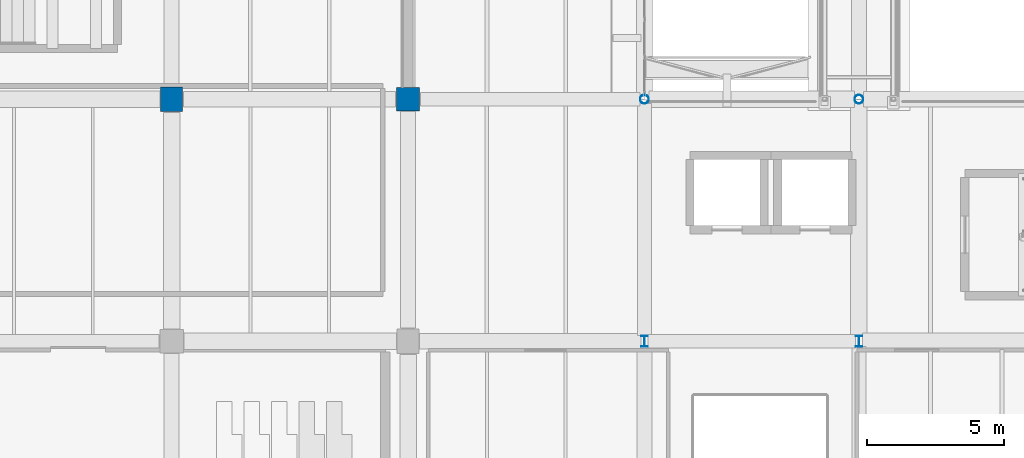
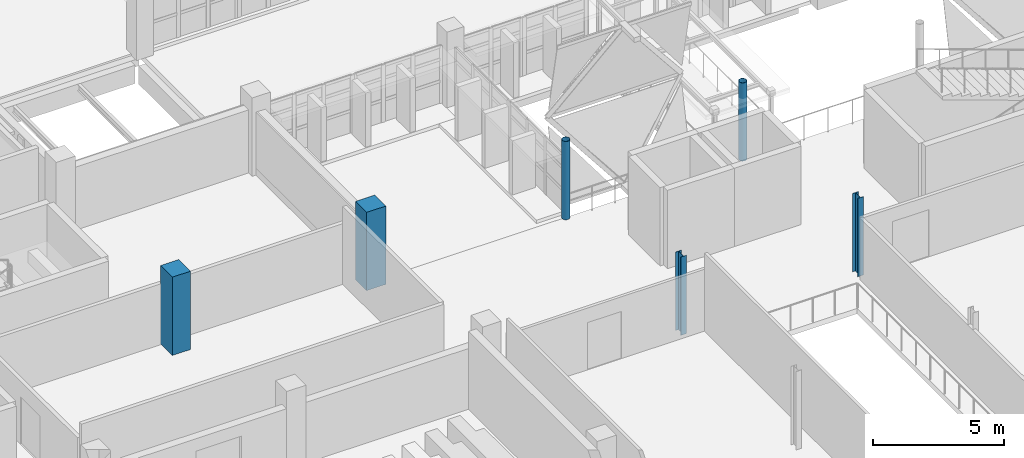
# One storey, part 3 of 80: 6 columns.
"""IFC4 building model written with IfcOpenShell, lengths in metres."""

from ifc_helpers import new_model, si_unit, direction, frame, origin, origin_2d, place, context, subcontext, project, spatial, rectangle, hollow_circle, i_section, extrude, material, material_profile, profile_set, type_object, element, save


model = new_model("IFC4")

# Units and contexts
model_context = context("Model", 3, precision=1e-05, world=origin(), true_north=direction((0.0, 1.0)))
body_context = subcontext(model_context, "Body", "Model", "MODEL_VIEW")
ifc_project = project(units=[si_unit("LENGTHUNIT", "METRE"), si_unit("AREAUNIT", "SQUARE_METRE"), si_unit("VOLUMEUNIT", "CUBIC_METRE"), si_unit("PLANEANGLEUNIT", "RADIAN"), si_unit("MASSUNIT", "GRAM", prefix="KILO")], contexts=[model_context])

# Site, building, storey
site_placement = place(None, origin())
site = spatial("IfcSite", under=ifc_project, at=site_placement, CompositionType="ELEMENT")
building_placement = place(site_placement, origin())
building = spatial("IfcBuilding", under=site, at=building_placement, Name="Varnakota Cinema and Media Centre", CompositionType="ELEMENT")
storey_placement = place(building_placement, frame((0.0, 0.0, 4.5)))
storey = spatial("IfcBuildingStorey", under=building, at=storey_placement, Name="L01", CompositionType="ELEMENT", Elevation=4.5)

# Columns
ifc_material_1 = material(Name="Concrete M40", Category="concrete")
ifc_material_profile_1 = material_profile(ifc_material_1, rectangle(XDim=0.800048828125, YDim=0.89990234375, at=origin_2d()), Name="RC 800x900")
ifc_profile_set_1 = profile_set([ifc_material_profile_1], Name="Concrete M40")
column_type_1 = type_object("IfcColumnType", Name="COL-RC-800x900", PredefinedType="COLUMN", material=ifc_profile_set_1)
column_1_placement = place(storey_placement, frame((34.39990234375, 26.39990234375, 0.0), z_axis=(0.0, 0.0, 1.0), x_axis=(1.0, 0.0, 0.0)))
element("IfcColumn", 1, at=column_1_placement, inside=storey, type_object=column_type_1, Name="L01 column E/4", PredefinedType="COLUMN", context=body_context, shape_type="SweptSolid", body=[
    extrude(rectangle(XDim=0.800048828125, YDim=0.89990234375, at=origin_2d()), origin(), (0.0, 0.0, 1.0), 3.64990234375),
])
ifc_material_2 = material(Name="Concrete M50", Category="concrete")
ifc_material_profile_2 = material_profile(ifc_material_2, rectangle(XDim=0.85009765625, YDim=0.85009765625, at=origin_2d()), Name="RC 850x850")
ifc_profile_set_2 = profile_set([ifc_material_profile_2], Name="Concrete M50")
column_type_2 = type_object("IfcColumnType", Name="COL-RC-850x850", PredefinedType="COLUMN", material=ifc_profile_set_2)
column_2_placement = place(storey_placement, frame((43.0, 26.39990234375, 0.0), z_axis=(0.0, 0.0, 1.0), x_axis=(1.0, 0.0, 0.0)))
element("IfcColumn", 2, at=column_2_placement, inside=storey, type_object=column_type_2, Name="L01 column F/4", PredefinedType="COLUMN", context=body_context, shape_type="SweptSolid", body=[
    extrude(rectangle(XDim=0.85009765625, YDim=0.85009765625, at=origin_2d()), origin(), (0.0, 0.0, 1.0), 3.64990234375),
])
ifc_material_3 = material(Name="Structural steel S355 (YSt 355)", Category="steel")
ifc_material_profile_3 = material_profile(ifc_material_3, hollow_circle(Radius=0.161865234375, WallThickness=0.010009765625, at=origin_2d()), Name="CHS 323.9x10.0")
ifc_profile_set_3 = profile_set([ifc_material_profile_3], Name="Structural steel S355 (YSt 355)")
column_type_3 = type_object("IfcColumnType", Name="COL-ST-CHS324", PredefinedType="COLUMN", material=ifc_profile_set_3)
for number, where, z_axis, x_axis, name in (
    (3, (51.60009765625, 26.39990234375, 0.0), (0.0, 0.0, 1.0), (1.0, 0.0, 0.0), "L01 column G/4"),
    (4, (59.39990234375, 26.39990234375, 0.0), (0.0, 0.0, 1.0), (1.0, 0.0, 0.0), "L01 column H/4"),
):
    element("IfcColumn", number, at=place(storey_placement, frame(where, z_axis=z_axis, x_axis=x_axis)), inside=storey, type_object=column_type_3, Name=name, PredefinedType="COLUMN", context=body_context, shape_type="SweptSolid", body=[
        extrude(hollow_circle(Radius=0.161865234375, WallThickness=0.010009765625, at=origin_2d()), origin(), (0.0, 0.0, 1.0), 3.64990234375),
    ])
ifc_material_4 = material(Name="Structural steel Grade 350 (E350)", Category="steel")
ifc_material_profile_4 = material_profile(ifc_material_4, i_section(OverallWidth=0.25, OverallDepth=0.39990234375, WebThickness=0.010498046875, FlangeThickness=0.0126953125, FilletRadius=0.011962890625, at=origin_2d()), Name="ISHB 400")
ifc_profile_set_4 = profile_set([ifc_material_profile_4], Name="Structural steel Grade 350 (E350)")
column_type_4 = type_object("IfcColumnType", Name="COL-ST-ISHB400", PredefinedType="COLUMN", material=ifc_profile_set_4)
for number, where, z_axis, x_axis, name in (
    (5, (51.60009765625, 17.60009765625, 0.0), (0.0, 0.0, 1.0), (1.0, 0.0, 0.0), "L01 column G/3"),
    (6, (59.39990234375, 17.60009765625, 0.0), (0.0, 0.0, 1.0), (1.0, 0.0, 0.0), "L01 column H/3"),
):
    element("IfcColumn", number, at=place(storey_placement, frame(where, z_axis=z_axis, x_axis=x_axis)), inside=storey, type_object=column_type_4, Name=name, PredefinedType="COLUMN", context=body_context, shape_type="SweptSolid", body=[
        extrude(i_section(OverallWidth=0.25, OverallDepth=0.39990234375, WebThickness=0.010498046875, FlangeThickness=0.0126953125, FilletRadius=0.011962890625, at=origin_2d()), origin(), (0.0, 0.0, 1.0), 3.64990234375),
    ])

save(model, "model.ifc")
